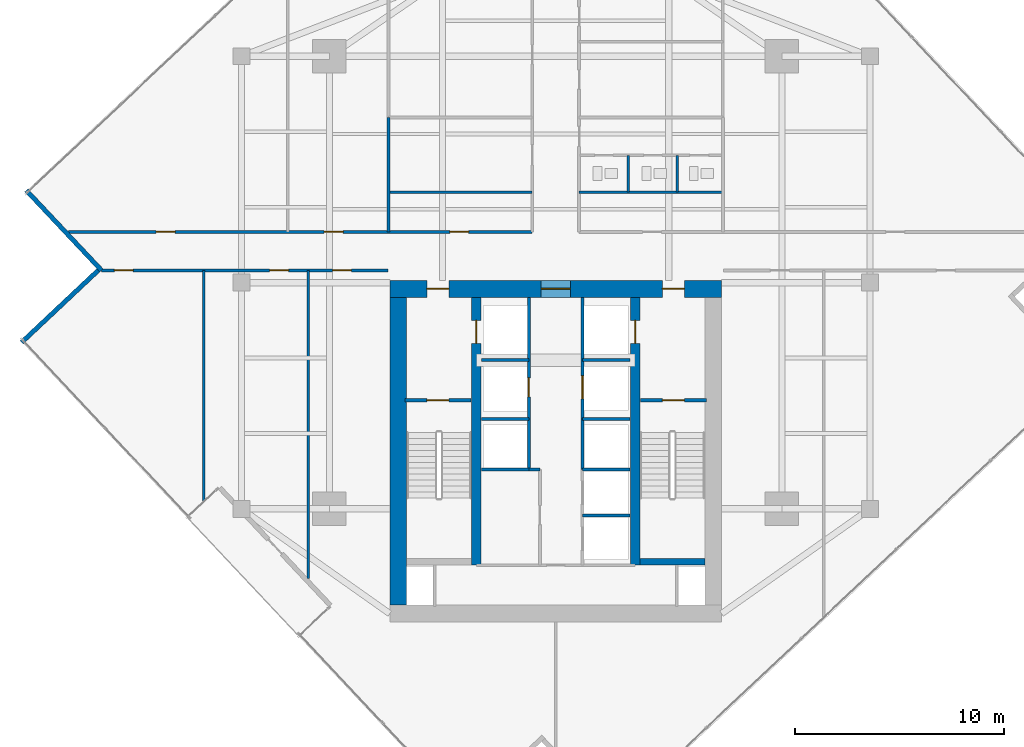
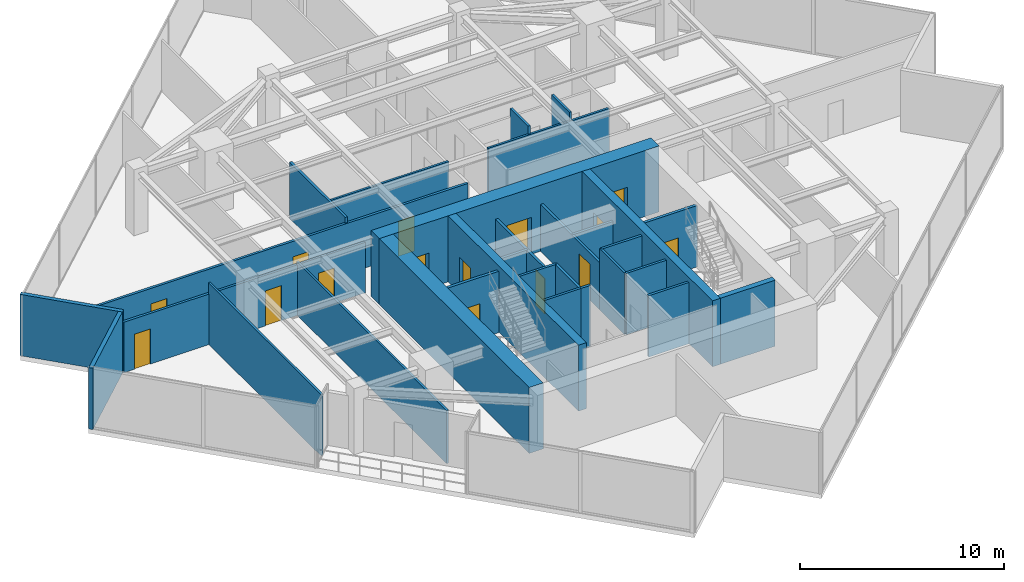
# One storey, part 21 of 24: 30 walls, 15 doors, 15 openings.
"""IFC4 building model written with IfcOpenShell, lengths in metres."""

from ifc_helpers import new_model, si_unit, direction, frame, frame_2d, origin, place, context, subcontext, project, spatial, rectangle, extrude, material, layer, layer_set, type_object, element, fill, save


model = new_model("IFC4")

# Units and contexts
model_context = context("Model", 3, precision=1e-05, world=origin(), true_north=direction((0.0, 1.0)))
body_context = subcontext(model_context, "Body", "Model", "MODEL_VIEW")
ifc_project = project(units=[si_unit("LENGTHUNIT", "METRE"), si_unit("AREAUNIT", "SQUARE_METRE"), si_unit("VOLUMEUNIT", "CUBIC_METRE"), si_unit("PLANEANGLEUNIT", "RADIAN"), si_unit("MASSUNIT", "GRAM", prefix="KILO")], contexts=[model_context])

# Site, building, storey
site_placement = place(None, origin())
site = spatial("IfcSite", under=ifc_project, at=site_placement, CompositionType="ELEMENT")
building_placement = place(site_placement, origin())
building = spatial("IfcBuilding", under=site, at=building_placement, Name="Krantzveldt Concourse Tower", CompositionType="ELEMENT")
storey_placement = place(building_placement, frame((0.0, 0.0, 246.800048828125)))
storey = spatial("IfcBuildingStorey", under=building, at=storey_placement, Name="L60", CompositionType="ELEMENT", Elevation=246.800048828125)

# Walls
ifc_material_1 = material(Name="Anodised aluminium 6063-T6", Category="aluminium")
ifc_layer_1 = layer(ifc_material_1, 0.219970703125, Name="Anodised aluminium 6063-T6", Category="aluminium")
ifc_layer_set_1 = layer_set([ifc_layer_1], Name="Anodised aluminium 6063-T6 (WL-EXT-NOTCH220)")
wall_type_1 = type_object("IfcWallType", Name="WL-EXT-NOTCH220", PredefinedType="ELEMENTEDWALL", material=ifc_layer_set_1)
wall_1_placement = place(storey_placement, frame((10.72705078125, 31.104736328125, 0.0), z_axis=(0.0, 0.0, 1.0), x_axis=(0.685178828418, -0.728374884992, 0.0)))
element("IfcWall", 1, at=wall_1_placement, inside=storey, type_object=wall_type_1, Name="EW-L60-NCH02", PredefinedType="ELEMENTEDWALL", context=body_context, shape_type="SweptSolid", body=[
    extrude(rectangle(XDim=5.244873046875, YDim=0.219970703125, at=frame_2d((2.62255859375, 0.0))), origin(), (0.0, 0.0, 1.0), 3.669921875),
])
wall_2_placement = place(storey_placement, frame((14.165283203125, 27.289306640625, 0.0), z_axis=(0.0, 0.0, 1.0), x_axis=(-0.728372554527, -0.685181305796, 0.0)))
element("IfcWall", 2, at=wall_2_placement, inside=storey, type_object=wall_type_1, Name="EW-L60-NCH03", PredefinedType="ELEMENTEDWALL", context=body_context, shape_type="SweptSolid", body=[
    extrude(rectangle(XDim=5.025146484375, YDim=0.219970703125, at=frame_2d((2.5126953125, 0.0))), origin(), (0.0, 0.0, 1.0), 3.669921875),
])
ifc_material_2 = material(Name="Fire-rated gypsum plasterboard on steel stud", Category="steel")
ifc_layer_2 = layer(ifc_material_2, 0.1201171875, Name="Fire-rated gypsum plasterboard on steel stud", Category="steel")
ifc_layer_set_2 = layer_set([ifc_layer_2], Name="Fire-rated gypsum plasterboard on steel stud (WL-PART-120)")
wall_type_2 = type_object("IfcWallType", Name="WL-PART-120", PredefinedType="PARTITIONING", material=ifc_layer_set_2)
for number, where, z_axis, x_axis, name in (
    (3, (28.02001953125, 31.02001953125, 0.0), (0.0, 0.0, 1.0), (1.0, 0.0, 0.0), "WP-L60-ISML"),
    (4, (37.1201171875, 31.02001953125, 0.0), (0.0, 0.0, 1.0), (1.0, 0.0, 0.0), "WP-L60-ISMR"),
):
    element("IfcWall", number, at=place(storey_placement, frame(where, z_axis=z_axis, x_axis=x_axis)), inside=storey, type_object=wall_type_2, Name=name, PredefinedType="PARTITIONING", context=body_context, shape_type="SweptSolid", body=[
        extrude(rectangle(XDim=6.85986328125, YDim=0.1201171875, at=frame_2d((3.429931640625, 0.0))), origin(), (0.0, 0.0, 1.0), 3.179931640625),
    ])
for number, where, z_axis, x_axis, name in (
    (5, (39.469970703125, 31.02001953125, 0.0), (0.0, 0.0, 1.0), (0.0, 1.0, 0.0), "WP-L60-WCD1"),
    (6, (41.81005859375, 31.02001953125, 0.0), (0.0, 0.0, 1.0), (0.0, 1.0, 0.0), "WP-L60-WCD2"),
):
    element("IfcWall", number, at=place(storey_placement, frame(where, z_axis=z_axis, x_axis=x_axis)), inside=storey, type_object=wall_type_2, Name=name, PredefinedType="PARTITIONING", context=body_context, shape_type="SweptSolid", body=[
        extrude(rectangle(XDim=1.760009765625, YDim=0.1201171875, at=frame_2d((0.8798828125, 0.0))), origin(), (0.0, 0.0, 1.0), 3.669921875),
    ])
wall_3_placement = place(storey_placement, frame((19.199951171875, 16.23681640625, 0.0), z_axis=(0.0, 0.0, 1.0), x_axis=(0.0, 1.0, 0.0)))
element("IfcWall", 7, at=wall_3_placement, inside=storey, type_object=wall_type_2, Name="WP-L60-SWX1", PredefinedType="PARTITIONING", context=body_context, shape_type="SweptSolid", body=[
    extrude(rectangle(XDim=11.043212890625, YDim=0.1201171875, at=frame_2d((5.521484375, 0.0))), origin(), (0.0, 0.0, 1.0), 3.669921875),
])
wall_4_placement = place(storey_placement, frame((24.199951171875, 12.572021484375, 0.0), z_axis=(0.0, 0.0, 1.0), x_axis=(0.0, 1.0, 0.0)))
element("IfcWall", 8, at=wall_4_placement, inside=storey, type_object=wall_type_2, Name="WP-L60-SWX2", PredefinedType="PARTITIONING", context=body_context, shape_type="SweptSolid", body=[
    extrude(rectangle(XDim=14.7080078125, YDim=0.1201171875, at=frame_2d((7.35400390625, 0.0))), origin(), (0.0, 0.0, 1.0), 3.179931640625),
])

# Wall, openings, doors
ifc_layer_3 = layer(ifc_material_2, 0.139892578125, Name="Fire-rated gypsum plasterboard on steel stud", Category="steel")
ifc_layer_set_3 = layer_set([ifc_layer_3], Name="Fire-rated gypsum plasterboard on steel stud (WL-PART-140)")
wall_type_3 = type_object("IfcWallType", Name="WL-PART-140", PredefinedType="PARTITIONING", material=ifc_layer_set_3)
wall_5_placement = place(storey_placement, frame((12.751953125, 29.1201171875, 0.0), z_axis=(0.0, 0.0, 1.0), x_axis=(1.0, 0.0, 0.0)))
wall_5 = element("IfcWall", 9, at=wall_5_placement, inside=storey, type_object=wall_type_3, Name="WP-L60-EWNL", PredefinedType="PARTITIONING", context=body_context, shape_type="SweptSolid", body=[
    extrude(rectangle(XDim=22.1279296875, YDim=0.139892578125, at=frame_2d((11.06396484375, 0.0))), origin(), (0.0, 0.0, 1.0), 3.030029296875),
])
opening_1_placement = place(wall_5_placement, frame((18.197998046875, 0.0, 0.0)))
opening_1 = element("IfcOpeningElement", 10, at=opening_1_placement, cuts=wall_5, Name="Opening D-IN090", PredefinedType="OPENING", context=body_context, shape_type="SweptSolid", body=[
    extrude(rectangle(XDim=0.89990234375, YDim=2.10009765625, at=frame_2d((0.449951171875, 1.050048828125))), frame((0.0, 0.080078125, 0.0), z_axis=(0.0, -1.0, 0.0), x_axis=(1.0, 0.0, 0.0)), (0.0, 0.0, 1.0), 0.159912109375),
])
opening_2_placement = place(wall_5_placement, frame((4.177978515625, 0.0, 0.0)))
opening_2 = element("IfcOpeningElement", 11, at=opening_2_placement, cuts=wall_5, Name="Opening D-IN090", PredefinedType="OPENING", context=body_context, shape_type="SweptSolid", body=[
    extrude(rectangle(XDim=0.89990234375, YDim=2.10009765625, at=frame_2d((0.449951171875, 1.050048828125))), frame((0.0, 0.080078125, 0.0), z_axis=(0.0, -1.0, 0.0), x_axis=(1.0, 0.0, 0.0)), (0.0, 0.0, 1.0), 0.159912109375),
])
opening_3_placement = place(wall_5_placement, frame((12.197998046875, 0.0, 0.0)))
opening_3 = element("IfcOpeningElement", 12, at=opening_3_placement, cuts=wall_5, Name="Opening D-IN090", PredefinedType="OPENING", context=body_context, shape_type="SweptSolid", body=[
    extrude(rectangle(XDim=0.89990234375, YDim=2.10009765625, at=frame_2d((0.449951171875, 1.050048828125))), frame((0.0, 0.080078125, 0.0), z_axis=(0.0, -1.0, 0.0), x_axis=(1.0, 0.0, 0.0)), (0.0, 0.0, 1.0), 0.159912109375),
])
ifc_material_3 = material(Name="Hardwood timber", Category="wood")
door_type_1 = type_object("IfcDoorType", Name="DR-INT-900", OperationType="SINGLE_SWING_LEFT", PredefinedType="DOOR", material=ifc_material_3)
door_1_placement = place(opening_1_placement, origin())
door_1 = element("IfcDoor", 13, at=door_1_placement, inside=storey, type_object=door_type_1, Name="DR-L60-ALCL", OperationType="SINGLE_SWING_LEFT", OverallHeight=2.10009765625, OverallWidth=0.89990234375, PredefinedType="DOOR", context=body_context, shape_type="SweptSolid", body=[
    extrude(rectangle(XDim=0.89990234375, YDim=2.10009765625, at=frame_2d((0.449951171875, 1.050048828125))), frame((0.0, 0.02490234375, 0.0), z_axis=(0.0, -1.0, 0.0), x_axis=(1.0, 0.0, 0.0)), (0.0, 0.0, 1.0), 0.050048828125),
])
fill(opening_1, door_1)
door_2_placement = place(opening_2_placement, origin())
door_2 = element("IfcDoor", 14, at=door_2_placement, inside=storey, type_object=door_type_1, Name="DR-L60-NWX1", OperationType="SINGLE_SWING_LEFT", OverallHeight=2.10009765625, OverallWidth=0.89990234375, PredefinedType="DOOR", context=body_context, shape_type="SweptSolid", body=[
    extrude(rectangle(XDim=0.89990234375, YDim=2.10009765625, at=frame_2d((0.449951171875, 1.050048828125))), frame((0.0, 0.02490234375, 0.0), z_axis=(0.0, -1.0, 0.0), x_axis=(1.0, 0.0, 0.0)), (0.0, 0.0, 1.0), 0.050048828125),
])
fill(opening_2, door_2)
door_3_placement = place(opening_3_placement, origin())
door_3 = element("IfcDoor", 15, at=door_3_placement, inside=storey, type_object=door_type_1, Name="DR-L60-NWX2", OperationType="SINGLE_SWING_LEFT", OverallHeight=2.10009765625, OverallWidth=0.89990234375, PredefinedType="DOOR", context=body_context, shape_type="SweptSolid", body=[
    extrude(rectangle(XDim=0.89990234375, YDim=2.10009765625, at=frame_2d((0.449951171875, 1.050048828125))), frame((0.0, 0.02490234375, 0.0), z_axis=(0.0, -1.0, 0.0), x_axis=(1.0, 0.0, 0.0)), (0.0, 0.0, 1.0), 0.050048828125),
])
fill(opening_3, door_3)

wall_6_placement = place(storey_placement, frame((14.31591796875, 27.280029296875, 0.0), z_axis=(0.0, 0.0, 1.0), x_axis=(1.0, 0.0, 0.0)))
wall_6 = element("IfcWall", 16, at=wall_6_placement, inside=storey, type_object=wall_type_3, Name="WP-L60-EWSL", PredefinedType="PARTITIONING", context=body_context, shape_type="SweptSolid", body=[
    extrude(rectangle(XDim=13.68408203125, YDim=0.139892578125, at=frame_2d((6.842041015625, 0.0))), origin(), (0.0, 0.0, 1.0), 3.030029296875),
])
opening_4_placement = place(wall_6_placement, frame((0.614013671875, 0.0, 0.0)))
opening_4 = element("IfcOpeningElement", 17, at=opening_4_placement, cuts=wall_6, Name="Opening D-IN090", PredefinedType="OPENING", context=body_context, shape_type="SweptSolid", body=[
    extrude(rectangle(XDim=0.89990234375, YDim=2.10009765625, at=frame_2d((0.449951171875, 1.050048828125))), frame((0.0, 0.080078125, 0.0), z_axis=(0.0, -1.0, 0.0), x_axis=(1.0, 0.0, 0.0)), (0.0, 0.0, 1.0), 0.159912109375),
])
opening_5_placement = place(wall_6_placement, frame((8.0341796875, 0.0, 0.0)))
opening_5 = element("IfcOpeningElement", 18, at=opening_5_placement, cuts=wall_6, Name="Opening D-IN090", PredefinedType="OPENING", context=body_context, shape_type="SweptSolid", body=[
    extrude(rectangle(XDim=0.89990234375, YDim=2.10009765625, at=frame_2d((0.449951171875, 1.050048828125))), frame((0.0, 0.080078125, 0.0), z_axis=(0.0, -1.0, 0.0), x_axis=(1.0, 0.0, 0.0)), (0.0, 0.0, 1.0), 0.159912109375),
])
opening_6_placement = place(wall_6_placement, frame((11.0341796875, 0.0, 0.0)))
opening_6 = element("IfcOpeningElement", 19, at=opening_6_placement, cuts=wall_6, Name="Opening D-IN090", PredefinedType="OPENING", context=body_context, shape_type="SweptSolid", body=[
    extrude(rectangle(XDim=0.89990234375, YDim=2.10009765625, at=frame_2d((0.449951171875, 1.050048828125))), frame((0.0, 0.080078125, 0.0), z_axis=(0.0, -1.0, 0.0), x_axis=(1.0, 0.0, 0.0)), (0.0, 0.0, 1.0), 0.159912109375),
])
door_4_placement = place(opening_4_placement, origin())
door_4 = element("IfcDoor", 20, at=door_4_placement, inside=storey, type_object=door_type_1, Name="DR-L60-SWX1", OperationType="SINGLE_SWING_LEFT", OverallHeight=2.10009765625, OverallWidth=0.89990234375, PredefinedType="DOOR", context=body_context, shape_type="SweptSolid", body=[
    extrude(rectangle(XDim=0.89990234375, YDim=2.10009765625, at=frame_2d((0.449951171875, 1.050048828125))), frame((0.0, 0.02490234375, 0.0), z_axis=(0.0, -1.0, 0.0), x_axis=(1.0, 0.0, 0.0)), (0.0, 0.0, 1.0), 0.050048828125),
])
fill(opening_4, door_4)
door_5_placement = place(opening_5_placement, origin())
door_5 = element("IfcDoor", 21, at=door_5_placement, inside=storey, type_object=door_type_1, Name="DR-L60-SWX2", OperationType="SINGLE_SWING_LEFT", OverallHeight=2.10009765625, OverallWidth=0.89990234375, PredefinedType="DOOR", context=body_context, shape_type="SweptSolid", body=[
    extrude(rectangle(XDim=0.89990234375, YDim=2.10009765625, at=frame_2d((0.449951171875, 1.050048828125))), frame((0.0, 0.02490234375, 0.0), z_axis=(0.0, -1.0, 0.0), x_axis=(1.0, 0.0, 0.0)), (0.0, 0.0, 1.0), 0.050048828125),
])
fill(opening_5, door_5)
door_6_placement = place(opening_6_placement, origin())
door_6 = element("IfcDoor", 22, at=door_6_placement, inside=storey, type_object=door_type_1, Name="DR-L60-SWX3", OperationType="SINGLE_SWING_LEFT", OverallHeight=2.10009765625, OverallWidth=0.89990234375, PredefinedType="DOOR", context=body_context, shape_type="SweptSolid", body=[
    extrude(rectangle(XDim=0.89990234375, YDim=2.10009765625, at=frame_2d((0.449951171875, 1.050048828125))), frame((0.0, 0.02490234375, 0.0), z_axis=(0.0, -1.0, 0.0), x_axis=(1.0, 0.0, 0.0)), (0.0, 0.0, 1.0), 0.050048828125),
])
fill(opening_6, door_6)

# Wall
wall_7_placement = place(storey_placement, frame((28.02001953125, 29.1201171875, 0.0), z_axis=(0.0, 0.0, 1.0), x_axis=(0.0, 1.0, 0.0)))
element("IfcWall", 23, at=wall_7_placement, inside=storey, type_object=wall_type_3, Name="WP-L60-ISWL", PredefinedType="PARTITIONING", context=body_context, shape_type="SweptSolid", body=[
    extrude(rectangle(XDim=5.4599609375, YDim=0.139892578125, at=frame_2d((2.72998046875, 0.0))), origin(), (0.0, 0.0, 1.0), 3.369873046875),
])

# Wall, opening, door
ifc_layer_4 = layer(ifc_material_2, 0.139892578125, Name="Fire-rated gypsum plasterboard on steel stud", Category="steel")
ifc_layer_set_4 = layer_set([ifc_layer_4], Name="Fire-rated gypsum plasterboard on steel stud (WL-PART-FR140)")
wall_type_4 = type_object("IfcWallType", Name="WL-PART-FR140", PredefinedType="PARTITIONING", material=ifc_layer_set_4)
wall_8_placement = place(storey_placement, frame((34.719970703125, 20.199951171875, 0.0), z_axis=(0.0, 0.0, 1.0), x_axis=(0.0, 1.0, 0.0)))
wall_8 = element("IfcWall", 24, at=wall_8_placement, inside=storey, type_object=wall_type_4, Name="WP-L60-SHNW", PredefinedType="PARTITIONING", context=body_context, shape_type="SweptSolid", body=[
    extrude(rectangle(XDim=5.780029296875, YDim=0.139892578125, at=frame_2d((2.89013671875, 0.0))), origin(), (0.0, 0.0, 1.0), 2.820068359375),
])
opening_7_placement = place(wall_8_placement, frame((1.050048828125, 0.0, 0.0)))
opening_7 = element("IfcOpeningElement", 25, at=opening_7_placement, cuts=wall_8, Name="Opening D-FD090", PredefinedType="OPENING", context=body_context, shape_type="SweptSolid", body=[
    extrude(rectangle(XDim=0.89990234375, YDim=2.10009765625, at=frame_2d((0.449951171875, 1.050048828125))), frame((0.0, 0.080078125, 0.0), z_axis=(0.0, -1.0, 0.0), x_axis=(1.0, 0.0, 0.0)), (0.0, 0.0, 1.0), 0.159912109375),
])
door_type_2 = type_object("IfcDoorType", Name="DR-FD60-900", OperationType="SINGLE_SWING_LEFT", PredefinedType="DOOR", material=ifc_material_3)
door_7_placement = place(opening_7_placement, origin())
door_7 = element("IfcDoor", 26, at=door_7_placement, inside=storey, type_object=door_type_2, Name="Electrical Riser Access Door L60", OperationType="SINGLE_SWING_LEFT", OverallHeight=2.10009765625, OverallWidth=0.89990234375, PredefinedType="DOOR", context=body_context, shape_type="SweptSolid", body=[
    extrude(rectangle(XDim=0.89990234375, YDim=2.10009765625, at=frame_2d((0.449951171875, 1.050048828125))), frame((0.0, 0.02490234375, 0.0), z_axis=(0.0, -1.0, 0.0), x_axis=(1.0, 0.0, 0.0)), (0.0, 0.0, 1.0), 0.050048828125),
])
fill(opening_7, door_7)

wall_9_placement = place(storey_placement, frame((37.280029296875, 20.199951171875, 0.0), z_axis=(0.0, 0.0, 1.0), x_axis=(0.0, 1.0, 0.0)))
wall_9 = element("IfcWall", 27, at=wall_9_placement, inside=storey, type_object=wall_type_4, Name="WP-L60-SHNE", PredefinedType="PARTITIONING", context=body_context, shape_type="SweptSolid", body=[
    extrude(rectangle(XDim=5.780029296875, YDim=0.139892578125, at=frame_2d((2.89013671875, 0.0))), origin(), (0.0, 0.0, 1.0), 2.820068359375),
])
opening_8_placement = place(wall_9_placement, frame((0.949951171875, 0.0, 0.0)))
opening_8 = element("IfcOpeningElement", 28, at=opening_8_placement, cuts=wall_9, Name="Opening LD", PredefinedType="OPENING", context=body_context, shape_type="SweptSolid", body=[
    extrude(rectangle(XDim=1.10009765625, YDim=2.14990234375, at=frame_2d((0.550048828125, 1.074951171875))), frame((0.0, 0.080078125, 0.0), z_axis=(0.0, -1.0, 0.0), x_axis=(1.0, 0.0, 0.0)), (0.0, 0.0, 1.0), 0.159912109375),
])
ifc_material_4 = material(Name="Stainless steel 316L", Category="steel")
door_type_3 = type_object("IfcDoorType", Name="DR-SLIDE-LD1100", OperationType="DOUBLE_DOOR_SLIDING", PredefinedType="DOOR", material=ifc_material_4)
door_8_placement = place(opening_8_placement, origin())
door_8 = element("IfcDoor", 29, at=door_8_placement, inside=storey, type_object=door_type_3, Name="LD-L60-GL1", OperationType="DOUBLE_DOOR_SLIDING", OverallHeight=2.14990234375, OverallWidth=1.10009765625, PredefinedType="DOOR", context=body_context, shape_type="SweptSolid", body=[
    extrude(rectangle(XDim=1.10009765625, YDim=2.14990234375, at=frame_2d((0.550048828125, 1.074951171875))), frame((0.0, 0.02490234375, 0.0), z_axis=(0.0, -1.0, 0.0), x_axis=(1.0, 0.0, 0.0)), (0.0, 0.0, 1.0), 0.050048828125),
])
fill(opening_8, door_8)

# Walls
for number, where, z_axis, x_axis, name in (
    (30, (32.449951171875, 23.0, 0.0), (0.0, 0.0, 1.0), (1.0, 0.0, 0.0), "WP-L60-RISH"),
    (31, (37.280029296875, 23.0, 0.0), (0.0, 0.0, 1.0), (1.0, 0.0, 0.0), "WP-L60-GLH"),
):
    element("IfcWall", number, at=place(storey_placement, frame(where, z_axis=z_axis, x_axis=x_axis)), inside=storey, type_object=wall_type_4, Name=name, PredefinedType="PARTITIONING", context=body_context, shape_type="SweptSolid", body=[
        extrude(rectangle(XDim=2.27001953125, YDim=0.139892578125, at=frame_2d((1.135009765625, 0.0))), origin(), (0.0, 0.0, 1.0), 2.820068359375),
    ])
for number, where, z_axis, x_axis, name in (
    (32, (34.719970703125, 17.780029296875, 0.0), (0.0, 0.0, 1.0), (0.0, 1.0, 0.0), "WP-L60-SHNW2"),
    (33, (37.280029296875, 17.780029296875, 0.0), (0.0, 0.0, 1.0), (0.0, 1.0, 0.0), "WP-L60-SHNE2"),
):
    element("IfcWall", number, at=place(storey_placement, frame(where, z_axis=z_axis, x_axis=x_axis)), inside=storey, type_object=wall_type_4, Name=name, PredefinedType="PARTITIONING", context=body_context, shape_type="SweptSolid", body=[
        extrude(rectangle(XDim=2.419921875, YDim=0.139892578125, at=frame_2d((1.2099609375, 0.0))), origin(), (0.0, 0.0, 1.0), 3.669921875),
    ])
for number, where, z_axis, x_axis, name in (
    (34, (32.449951171875, 17.780029296875, 0.0), (0.0, 0.0, 1.0), (1.0, 0.0, 0.0), "WP-L60-DIVW2"),
    (35, (32.449951171875, 20.179931640625, 0.0), (0.0, 0.0, 1.0), (1.0, 0.0, 0.0), "WP-L60-DIVW3"),
    (36, (37.280029296875, 17.780029296875, 0.0), (0.0, 0.0, 1.0), (1.0, 0.0, 0.0), "WP-L60-DIVE2"),
    (37, (37.280029296875, 20.179931640625, 0.0), (0.0, 0.0, 1.0), (1.0, 0.0, 0.0), "WP-L60-DIVE3"),
):
    element("IfcWall", number, at=place(storey_placement, frame(where, z_axis=z_axis, x_axis=x_axis)), inside=storey, type_object=wall_type_4, Name=name, PredefinedType="PARTITIONING", context=body_context, shape_type="SweptSolid", body=[
        extrude(rectangle(XDim=2.27001953125, YDim=0.139892578125, at=frame_2d((1.135009765625, 0.0))), origin(), (0.0, 0.0, 1.0), 3.669921875),
    ])
wall_10_placement = place(storey_placement, frame((34.719970703125, 17.780029296875, 0.0), z_axis=(0.0, 0.0, 1.0), x_axis=(1.0, 0.0, 0.0)))
element("IfcWall", 38, at=wall_10_placement, inside=storey, type_object=wall_type_4, Name="WP-L60-RECWN", PredefinedType="PARTITIONING", context=body_context, shape_type="SweptSolid", body=[
    extrude(rectangle(XDim=0.530029296875, YDim=0.139892578125, at=frame_2d((0.26513671875, 0.0))), origin(), (0.0, 0.0, 1.0), 3.669921875),
])
wall_11_placement = place(storey_placement, frame((37.280029296875, 15.580078125, 0.0), z_axis=(0.0, 0.0, 1.0), x_axis=(1.0, 0.0, 0.0)))
element("IfcWall", 39, at=wall_11_placement, inside=storey, type_object=wall_type_4, Name="WP-L60-DIVE1", PredefinedType="PARTITIONING", context=body_context, shape_type="SweptSolid", body=[
    extrude(rectangle(XDim=2.27001953125, YDim=0.139892578125, at=frame_2d((1.135009765625, 0.0))), origin(), (0.0, 0.0, 1.0), 3.669921875),
])

# Wall, opening, door
ifc_layer_5 = layer(ifc_material_2, 0.159912109375, Name="Fire-rated gypsum plasterboard on steel stud", Category="steel")
ifc_layer_set_5 = layer_set([ifc_layer_5], Name="Fire-rated gypsum plasterboard on steel stud (WL-PART-FR160)")
wall_type_5 = type_object("IfcWallType", Name="WL-PART-FR160", PredefinedType="PARTITIONING", material=ifc_layer_set_5)
wall_12_placement = place(storey_placement, frame((28.800048828125, 21.080078125, 0.0), z_axis=(0.0, 0.0, 1.0), x_axis=(1.0, 0.0, 0.0)))
wall_12 = element("IfcWall", 40, at=wall_12_placement, inside=storey, type_object=wall_type_5, Name="WP-L60-ST1", PredefinedType="PARTITIONING", context=body_context, shape_type="SweptSolid", body=[
    extrude(rectangle(XDim=3.159912109375, YDim=0.159912109375, at=frame_2d((1.580078125, 0.0))), origin(), (0.0, 0.0, 1.0), 3.669921875),
])
opening_9_placement = place(wall_12_placement, frame((1.054931640625, 0.0, 0.0)))
opening_9 = element("IfcOpeningElement", 41, at=opening_9_placement, cuts=wall_12, Name="Opening D-FD105", PredefinedType="OPENING", context=body_context, shape_type="SweptSolid", body=[
    extrude(rectangle(XDim=1.050048828125, YDim=2.10009765625, at=frame_2d((0.52490234375, 1.050048828125))), frame((0.0, 0.08984375, 0.0), z_axis=(0.0, -1.0, 0.0), x_axis=(1.0, 0.0, 0.0)), (0.0, 0.0, 1.0), 0.179931640625),
])
ifc_material_5 = material(Name="Galvanised steel", Category="steel")
door_type_4 = type_object("IfcDoorType", Name="DR-FD120-1050", OperationType="SINGLE_SWING_LEFT", PredefinedType="DOOR", material=ifc_material_5)
door_9_placement = place(opening_9_placement, origin())
door_9 = element("IfcDoor", 42, at=door_9_placement, inside=storey, type_object=door_type_4, Name="DR-L60-ST1", OperationType="SINGLE_SWING_RIGHT", OverallHeight=2.10009765625, OverallWidth=1.050048828125, PredefinedType="DOOR", context=body_context, shape_type="SweptSolid", body=[
    extrude(rectangle(XDim=1.050048828125, YDim=2.10009765625, at=frame_2d((0.52490234375, 1.050048828125))), frame((0.0, 0.02490234375, 0.0), z_axis=(0.0, -1.0, 0.0), x_axis=(1.0, 0.0, 0.0)), (0.0, 0.0, 1.0), 0.050048828125),
])
fill(opening_9, door_9)

wall_13_placement = place(storey_placement, frame((40.0400390625, 21.080078125, 0.0), z_axis=(0.0, 0.0, 1.0), x_axis=(1.0, 0.0, 0.0)))
wall_13 = element("IfcWall", 43, at=wall_13_placement, inside=storey, type_object=wall_type_5, Name="WP-L60-ST2", PredefinedType="PARTITIONING", context=body_context, shape_type="SweptSolid", body=[
    extrude(rectangle(XDim=3.159912109375, YDim=0.159912109375, at=frame_2d((1.580078125, 0.0))), origin(), (0.0, 0.0, 1.0), 3.669921875),
])
opening_10_placement = place(wall_13_placement, frame((1.054931640625, 0.0, 0.0)))
opening_10 = element("IfcOpeningElement", 44, at=opening_10_placement, cuts=wall_13, Name="Opening D-FD105", PredefinedType="OPENING", context=body_context, shape_type="SweptSolid", body=[
    extrude(rectangle(XDim=1.050048828125, YDim=2.10009765625, at=frame_2d((0.52490234375, 1.050048828125))), frame((0.0, 0.08984375, 0.0), z_axis=(0.0, -1.0, 0.0), x_axis=(1.0, 0.0, 0.0)), (0.0, 0.0, 1.0), 0.179931640625),
])
door_10_placement = place(opening_10_placement, origin())
door_10 = element("IfcDoor", 45, at=door_10_placement, inside=storey, type_object=door_type_4, Name="DR-L60-ST2", OperationType="SINGLE_SWING_LEFT", OverallHeight=2.10009765625, OverallWidth=1.050048828125, PredefinedType="DOOR", context=body_context, shape_type="SweptSolid", body=[
    extrude(rectangle(XDim=1.050048828125, YDim=2.10009765625, at=frame_2d((0.52490234375, 1.050048828125))), frame((0.0, 0.02490234375, 0.0), z_axis=(0.0, -1.0, 0.0), x_axis=(1.0, 0.0, 0.0)), (0.0, 0.0, 1.0), 0.050048828125),
])
fill(opening_10, door_10)

# Wall
ifc_material_6 = material(Name="Concrete C50/60", Category="concrete")
ifc_layer_6 = layer(ifc_material_6, 0.300048828125, Name="Concrete C50/60", Category="concrete")
ifc_layer_set_6 = layer_set([ifc_layer_6], Name="Concrete C50/60 (WL-SHEAR-300)")
wall_type_6 = type_object("IfcWallType", Name="WL-SHEAR-300", PredefinedType="SHEAR", material=ifc_layer_set_6)
wall_14_placement = place(storey_placement, frame((40.02001953125, 13.3701171875, 0.0), z_axis=(0.0, 0.0, 1.0), x_axis=(1.0, 0.0, 0.0)))
element("IfcWall", 46, at=wall_14_placement, inside=storey, type_object=wall_type_6, Name="CW-L60-ST2S", PredefinedType="SHEAR", context=body_context, shape_type="SweptSolid", body=[
    extrude(rectangle(XDim=3.10009765625, YDim=0.300048828125, at=frame_2d((1.550048828125, 0.0))), origin(), (0.0, 0.0, 1.0), 3.949951171875),
])

# Wall, opening, door
ifc_layer_7 = layer(ifc_material_6, 0.449951171875, Name="Concrete C50/60", Category="concrete")
ifc_layer_set_7 = layer_set([ifc_layer_7], Name="Concrete C50/60 (WL-SHEAR-450)")
wall_type_7 = type_object("IfcWallType", Name="WL-SHEAR-450", PredefinedType="SHEAR", material=ifc_layer_set_7)
wall_15_placement = place(storey_placement, frame((32.205078125, 13.219970703125, 0.0), z_axis=(0.0, 0.0, 1.0), x_axis=(0.0, 1.0, 0.0)))
wall_15 = element("IfcWall", 47, at=wall_15_placement, inside=storey, type_object=wall_type_7, Name="CW-L60-IW", PredefinedType="SHEAR", context=body_context, shape_type="SweptSolid", body=[
    extrude(rectangle(XDim=12.780029296875, YDim=0.449951171875, at=frame_2d((6.39013671875, 0.0))), origin(), (0.0, 0.0, 1.0), 3.949951171875),
])
opening_11_placement = place(wall_15_placement, frame((10.580078125, 0.0, 0.0)))
opening_11 = element("IfcOpeningElement", 48, at=opening_11_placement, cuts=wall_15, Name="Opening LD", PredefinedType="OPENING", context=body_context, shape_type="SweptSolid", body=[
    extrude(rectangle(XDim=1.10009765625, YDim=2.14990234375, at=frame_2d((0.550048828125, 1.074951171875))), frame((0.0, 0.23486328125, 0.0), z_axis=(0.0, -1.0, 0.0), x_axis=(1.0, 0.0, 0.0)), (0.0, 0.0, 1.0), 0.469970703125),
])
door_11_placement = place(opening_11_placement, origin())
door_11 = element("IfcDoor", 49, at=door_11_placement, inside=storey, type_object=door_type_3, Name="LD-L60-FL1", OperationType="DOUBLE_DOOR_SLIDING", OverallHeight=2.14990234375, OverallWidth=1.10009765625, PredefinedType="DOOR", context=body_context, shape_type="SweptSolid", body=[
    extrude(rectangle(XDim=1.10009765625, YDim=2.14990234375, at=frame_2d((0.550048828125, 1.074951171875))), frame((0.0, 0.02490234375, 0.0), z_axis=(0.0, -1.0, 0.0), x_axis=(1.0, 0.0, 0.0)), (0.0, 0.0, 1.0), 0.050048828125),
])
fill(opening_11, door_11)

wall_16_placement = place(storey_placement, frame((39.794921875, 13.219970703125, 0.0), z_axis=(0.0, 0.0, 1.0), x_axis=(0.0, 1.0, 0.0)))
wall_16 = element("IfcWall", 50, at=wall_16_placement, inside=storey, type_object=wall_type_7, Name="CW-L60-IE", PredefinedType="SHEAR", context=body_context, shape_type="SweptSolid", body=[
    extrude(rectangle(XDim=12.780029296875, YDim=0.449951171875, at=frame_2d((6.39013671875, 0.0))), origin(), (0.0, 0.0, 1.0), 3.949951171875),
])
opening_12_placement = place(wall_16_placement, frame((10.580078125, 0.0, 0.0)))
opening_12 = element("IfcOpeningElement", 51, at=opening_12_placement, cuts=wall_16, Name="Opening LD", PredefinedType="OPENING", context=body_context, shape_type="SweptSolid", body=[
    extrude(rectangle(XDim=1.10009765625, YDim=2.14990234375, at=frame_2d((0.550048828125, 1.074951171875))), frame((0.0, 0.23486328125, 0.0), z_axis=(0.0, -1.0, 0.0), x_axis=(1.0, 0.0, 0.0)), (0.0, 0.0, 1.0), 0.469970703125),
])
door_12_placement = place(opening_12_placement, origin())
door_12 = element("IfcDoor", 52, at=door_12_placement, inside=storey, type_object=door_type_3, Name="LD-L60-FL2", OperationType="DOUBLE_DOOR_SLIDING", OverallHeight=2.14990234375, OverallWidth=1.10009765625, PredefinedType="DOOR", context=body_context, shape_type="SweptSolid", body=[
    extrude(rectangle(XDim=1.10009765625, YDim=2.14990234375, at=frame_2d((0.550048828125, 1.074951171875))), frame((0.0, 0.02490234375, 0.0), z_axis=(0.0, -1.0, 0.0), x_axis=(1.0, 0.0, 0.0)), (0.0, 0.0, 1.0), 0.050048828125),
])
fill(opening_12, door_12)

# Wall, openings, doors
ifc_material_7 = material(Name="Concrete C60/75", Category="concrete")
ifc_layer_8 = layer(ifc_material_7, 0.800048828125, Name="Concrete C60/75", Category="concrete")
ifc_layer_set_8 = layer_set([ifc_layer_8], Name="Concrete C60/75 (WL-SHEAR-800)")
wall_type_8 = type_object("IfcWallType", Name="WL-SHEAR-800", PredefinedType="SHEAR", material=ifc_layer_set_8)
wall_17_placement = place(storey_placement, frame((28.080078125, 26.39990234375, 0.0), z_axis=(0.0, 0.0, 1.0), x_axis=(1.0, 0.0, 0.0)))
wall_17 = element("IfcWall", 53, at=wall_17_placement, inside=storey, type_object=wall_type_8, Name="CW-L60-N", PredefinedType="SHEAR", context=body_context, shape_type="SweptSolid", body=[
    extrude(rectangle(XDim=15.83984375, YDim=0.800048828125, at=frame_2d((7.919921875, 0.0))), origin(), (0.0, 0.0, 1.0), 3.949951171875),
])
opening_13_placement = place(wall_17_placement, frame((7.219970703125, 0.0, 0.0)))
opening_13 = element("IfcOpeningElement", 54, at=opening_13_placement, cuts=wall_17, Name="Opening D-DB140", PredefinedType="OPENING", context=body_context, shape_type="SweptSolid", body=[
    extrude(rectangle(XDim=1.39990234375, YDim=2.199951171875, at=frame_2d((0.699951171875, 1.10009765625))), frame((0.0, 0.41015625, 0.0), z_axis=(0.0, -1.0, 0.0), x_axis=(1.0, 0.0, 0.0)), (0.0, 0.0, 1.0), 0.820068359375),
])
opening_14_placement = place(wall_17_placement, frame((1.77490234375, 0.0, 0.0)))
opening_14 = element("IfcOpeningElement", 55, at=opening_14_placement, cuts=wall_17, Name="Opening D-FD105", PredefinedType="OPENING", context=body_context, shape_type="SweptSolid", body=[
    extrude(rectangle(XDim=1.050048828125, YDim=2.10009765625, at=frame_2d((0.52490234375, 1.050048828125))), frame((0.0, 0.41015625, 0.0), z_axis=(0.0, -1.0, 0.0), x_axis=(1.0, 0.0, 0.0)), (0.0, 0.0, 1.0), 0.820068359375),
])
opening_15_placement = place(wall_17_placement, frame((13.014892578125, 0.0, 0.0)))
opening_15 = element("IfcOpeningElement", 56, at=opening_15_placement, cuts=wall_17, Name="Opening D-FD105", PredefinedType="OPENING", context=body_context, shape_type="SweptSolid", body=[
    extrude(rectangle(XDim=1.050048828125, YDim=2.10009765625, at=frame_2d((0.52490234375, 1.050048828125))), frame((0.0, 0.41015625, 0.0), z_axis=(0.0, -1.0, 0.0), x_axis=(1.0, 0.0, 0.0)), (0.0, 0.0, 1.0), 0.820068359375),
])
door_type_5 = type_object("IfcDoorType", Name="DR-DBL-1400", OperationType="DOUBLE_DOOR_SINGLE_SWING", PredefinedType="DOOR", material=ifc_material_1)
door_13_placement = place(opening_13_placement, origin())
door_13 = element("IfcDoor", 57, at=door_13_placement, inside=storey, type_object=door_type_5, Name="DR-L60-LLB", OperationType="DOUBLE_DOOR_SINGLE_SWING", OverallHeight=2.199951171875, OverallWidth=1.39990234375, PredefinedType="DOOR", context=body_context, shape_type="SweptSolid", body=[
    extrude(rectangle(XDim=1.39990234375, YDim=2.199951171875, at=frame_2d((0.699951171875, 1.10009765625))), frame((0.0, 0.02490234375, 0.0), z_axis=(0.0, -1.0, 0.0), x_axis=(1.0, 0.0, 0.0)), (0.0, 0.0, 1.0), 0.050048828125),
])
fill(opening_13, door_13)
door_14_placement = place(opening_14_placement, origin())
door_14 = element("IfcDoor", 58, at=door_14_placement, inside=storey, type_object=door_type_4, Name="DR-L60-FFL1", OperationType="SINGLE_SWING_LEFT", OverallHeight=2.10009765625, OverallWidth=1.050048828125, PredefinedType="DOOR", context=body_context, shape_type="SweptSolid", body=[
    extrude(rectangle(XDim=1.050048828125, YDim=2.10009765625, at=frame_2d((0.52490234375, 1.050048828125))), frame((0.0, 0.02490234375, 0.0), z_axis=(0.0, -1.0, 0.0), x_axis=(1.0, 0.0, 0.0)), (0.0, 0.0, 1.0), 0.050048828125),
])
fill(opening_14, door_14)
door_15_placement = place(opening_15_placement, origin())
door_15 = element("IfcDoor", 59, at=door_15_placement, inside=storey, type_object=door_type_4, Name="DR-L60-FFL2", OperationType="SINGLE_SWING_RIGHT", OverallHeight=2.10009765625, OverallWidth=1.050048828125, PredefinedType="DOOR", context=body_context, shape_type="SweptSolid", body=[
    extrude(rectangle(XDim=1.050048828125, YDim=2.10009765625, at=frame_2d((0.52490234375, 1.050048828125))), frame((0.0, 0.02490234375, 0.0), z_axis=(0.0, -1.0, 0.0), x_axis=(1.0, 0.0, 0.0)), (0.0, 0.0, 1.0), 0.050048828125),
])
fill(opening_15, door_15)

# Wall
wall_18_placement = place(storey_placement, frame((28.47998046875, 11.300048828125, 0.0), z_axis=(0.0, 0.0, 1.0), x_axis=(0.0, 1.0, 0.0)))
element("IfcWall", 60, at=wall_18_placement, inside=storey, type_object=wall_type_8, Name="CW-L60-W", PredefinedType="SHEAR", context=body_context, shape_type="SweptSolid", body=[
    extrude(rectangle(XDim=14.699951171875, YDim=0.800048828125, at=frame_2d((7.35009765625, 0.0))), origin(), (0.0, 0.0, 1.0), 3.949951171875),
])

save(model, "model.ifc")
